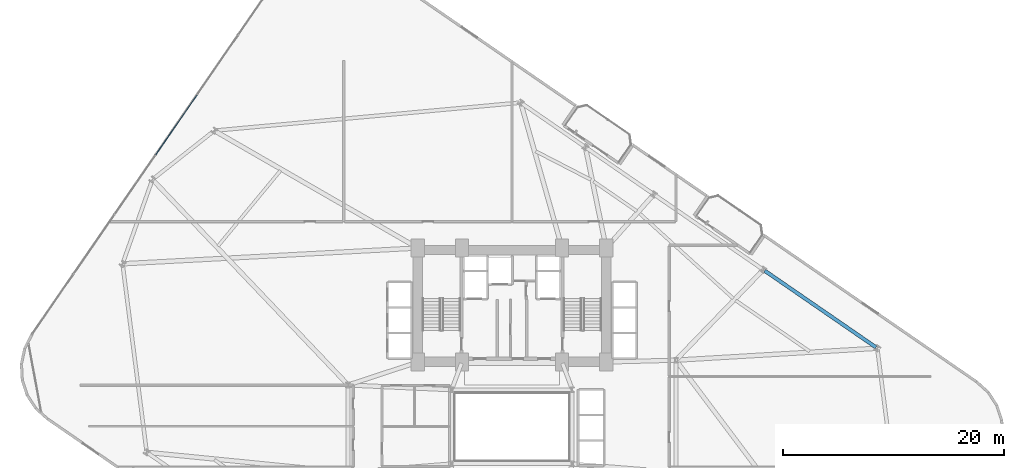
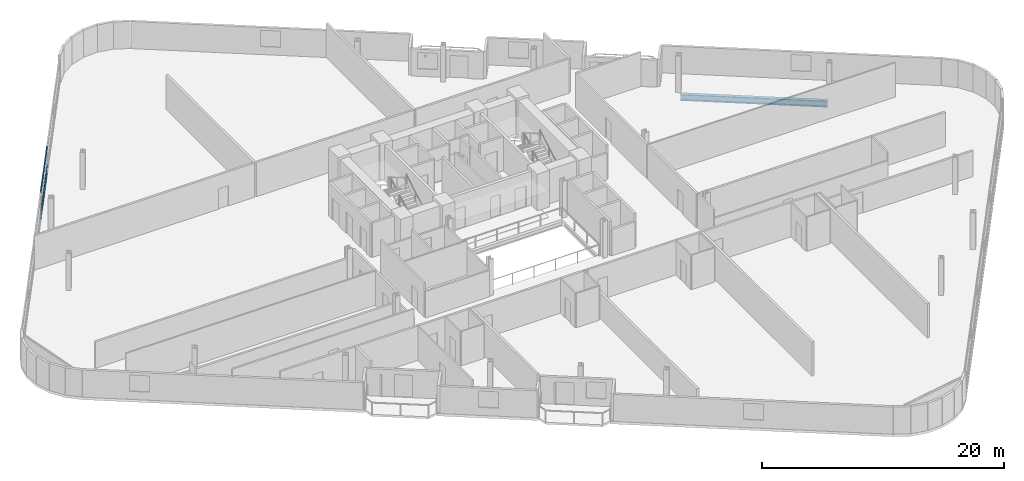
# One storey, part 14 of 26: 3 members, 1 beam, 1 element without a shape of its own.
"""IFC4 building model written with IfcOpenShell, lengths in metres."""

from ifc_helpers import new_model, si_unit, direction, frame, origin, origin_2d, place, context, subcontext, project, spatial, hollow_rectangle, i_section, extrude, material, layer, layer_set, material_profile, profile_set, type_object, element, aggregate, save


model = new_model("IFC4")

# Units and contexts
model_context = context("Model", 3, precision=1e-05, world=origin(), true_north=direction((0.0, 1.0)))
body_context = subcontext(model_context, "Body", "Model", "MODEL_VIEW")
ifc_project = project(units=[si_unit("LENGTHUNIT", "METRE"), si_unit("AREAUNIT", "SQUARE_METRE"), si_unit("VOLUMEUNIT", "CUBIC_METRE"), si_unit("PLANEANGLEUNIT", "RADIAN"), si_unit("MASSUNIT", "GRAM", prefix="KILO")], contexts=[model_context])

# Site, building, storey
site_placement = place(None, origin())
site = spatial("IfcSite", under=ifc_project, at=site_placement, CompositionType="ELEMENT")
building_placement = place(site_placement, origin())
building = spatial("IfcBuilding", under=site, at=building_placement, Name="Varnelok Gate Tower", CompositionType="ELEMENT")
storey_placement = place(building_placement, frame((0.0, 0.0, 45.5)))
storey = spatial("IfcBuildingStorey", under=building, at=storey_placement, Name="L10", CompositionType="ELEMENT", Elevation=45.5)

# Beam
ifc_material_1 = material(Name="Structural Steel ASTM A992 Grade 50", Category="steel")
ifc_material_profile_1 = material_profile(ifc_material_1, i_section(OverallWidth=0.323974609375, OverallDepth=0.611083984375, WebThickness=0.0126953125, FlangeThickness=0.01904296875, FilletRadius=0.01806640625, at=origin_2d()), Name="W24X104")
ifc_profile_set_1 = profile_set([ifc_material_profile_1], Name="Structural Steel ASTM A992 Grade 50")
beam_type = type_object("IfcBeamType", Name="BM-SPN-W24X104", PredefinedType="SPANDREL", material=ifc_profile_set_1)
beam_placement = place(storey_placement, frame((72.06201171875, 30.08251953125, -0.555419921875), z_axis=(-0.823543541425, 0.567253061144, 0.0), x_axis=(-0.567253061144, -0.823543541425, 0.0)))
element("IfcBeam", 1, at=beam_placement, inside=storey, type_object=beam_type, Name="L10 Perimeter Spandrel Beam 9", PredefinedType="SPANDREL", context=body_context, shape_type="SweptSolid", body=[
    extrude(i_section(OverallWidth=0.323974609375, OverallDepth=0.611083984375, WebThickness=0.0126953125, FlangeThickness=0.01904296875, FilletRadius=0.01806640625, at=origin_2d()), origin(), (0.0, 0.0, 1.0), 12.199951171875),
])

# Curtain wall, members
ifc_material_2 = material(Name="Anodized Aluminum Alloy 6063-T6", Category="aluminium")
ifc_layer = layer(ifc_material_2, 0.179931640625)
ifc_layer_set = layer_set([ifc_layer], Name="Anodized Aluminum Alloy 6063-T6")
curtain_wall_type = type_object("IfcCurtainWallType", Name="CW3-HOTEL-VISION", PredefinedType="USERDEFINED", material=ifc_layer_set)
curtain_wall_placement = place(storey_placement, origin())
curtain_wall = element("IfcCurtainWall", 2, at=curtain_wall_placement, inside=storey, type_object=curtain_wall_type, Name="L10 West End Vision Curtain Wall", ObjectType="UNITISED CURTAIN WALL", PredefinedType="USERDEFINED")
ifc_material_profile_2 = material_profile(ifc_material_2, hollow_rectangle(XDim=0.06494140625, YDim=0.159912109375, WallThickness=0.00390625, at=origin_2d()), Name="ALU160X65X4")
ifc_profile_set_2 = profile_set([ifc_material_profile_2], Name="Anodized Aluminum Alloy 6063-T6")
member_type = type_object("IfcMemberType", Name="CW-TRAN-160", PredefinedType="USERDEFINED", material=ifc_profile_set_2)
member_1_placement = place(storey_placement, frame((7.05126953125, 47.484375, 0.032470703125), z_axis=(0.567279204469, 0.823525533409, 0.0), x_axis=(-0.823525533409, 0.567279204469, 0.0)))
member_1 = element("IfcMember", 3, at=member_1_placement, type_object=member_type, Name="CW3 transom 4.1", ObjectType="TRANSOM", PredefinedType="USERDEFINED", context=body_context, shape_type="SweptSolid", body=[
    extrude(hollow_rectangle(XDim=0.06494140625, YDim=0.159912109375, WallThickness=0.00390625, at=origin_2d()), origin(), (0.0, 0.0, 1.0), 6.501708984375),
])
member_2_placement = place(storey_placement, frame((7.05126953125, 47.484375, 0.89990234375), z_axis=(0.567279204469, 0.823525533409, 0.0), x_axis=(-0.823525533409, 0.567279204469, 0.0)))
member_2 = element("IfcMember", 4, at=member_2_placement, type_object=member_type, Name="CW3 transom 4.2", ObjectType="TRANSOM", PredefinedType="USERDEFINED", context=body_context, shape_type="SweptSolid", body=[
    extrude(hollow_rectangle(XDim=0.06494140625, YDim=0.159912109375, WallThickness=0.00390625, at=origin_2d()), origin(), (0.0, 0.0, 1.0), 6.501708984375),
])
member_3_placement = place(storey_placement, frame((7.05126953125, 47.484375, 2.697509765625), z_axis=(0.567279204469, 0.823525533409, 0.0), x_axis=(-0.823525533409, 0.567279204469, 0.0)))
member_3 = element("IfcMember", 5, at=member_3_placement, type_object=member_type, Name="CW3 transom 4.3", ObjectType="TRANSOM", PredefinedType="USERDEFINED", context=body_context, shape_type="SweptSolid", body=[
    extrude(hollow_rectangle(XDim=0.06494140625, YDim=0.159912109375, WallThickness=0.00390625, at=origin_2d()), origin(), (0.0, 0.0, 1.0), 6.501708984375),
])
aggregate(curtain_wall, [member_1, member_2, member_3])

save(model, "model.ifc")
